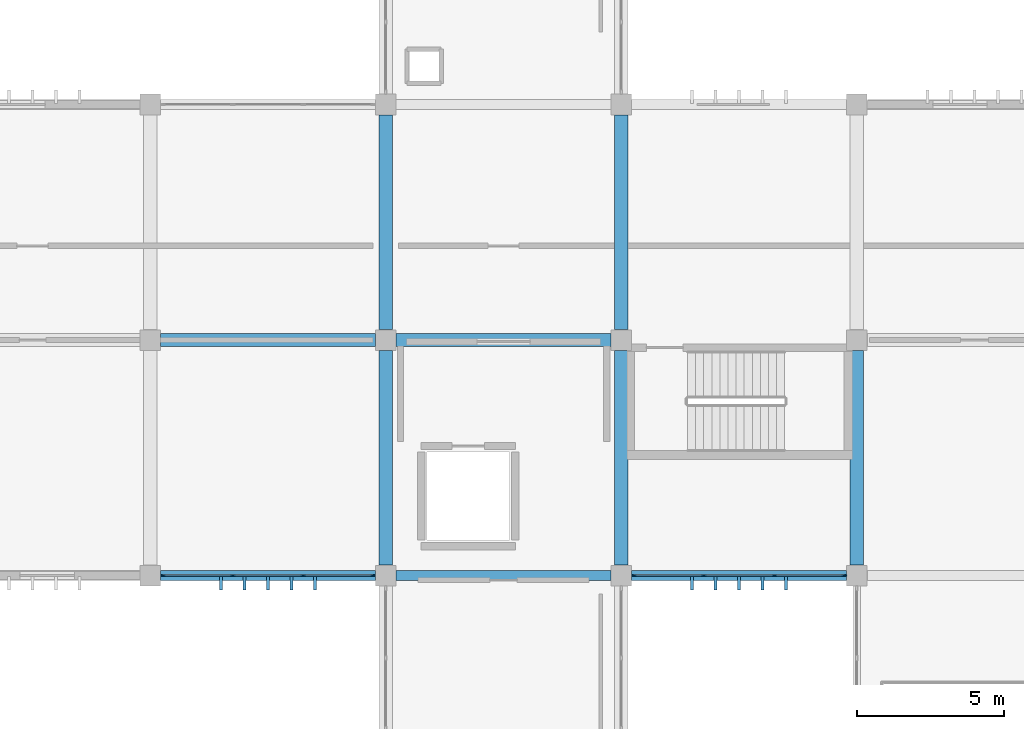
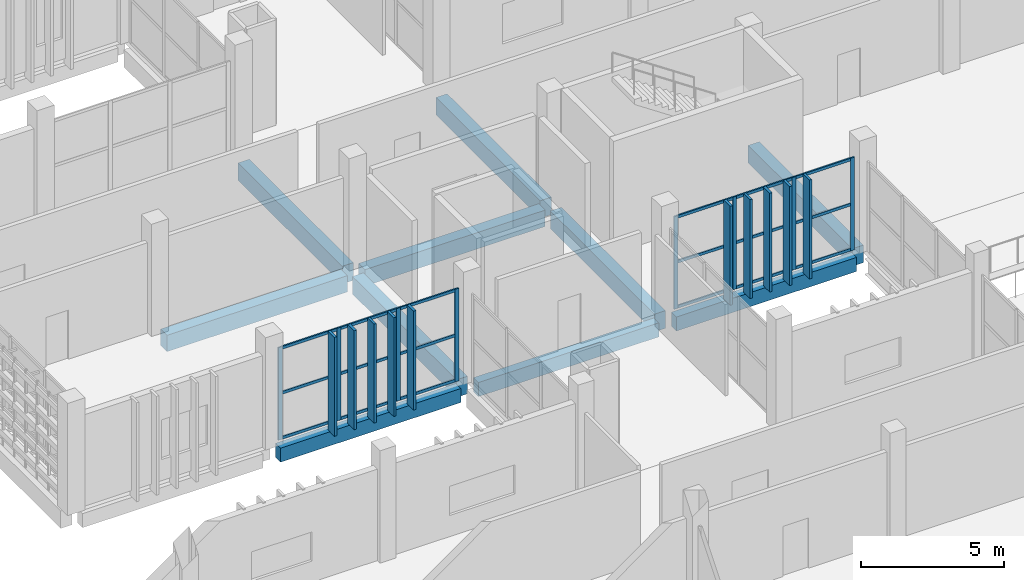
# One storey, part 53 of 106: 36 members, 10 beams, 2 elements without a shape of their own.
"""IFC4 building model written with IfcOpenShell, lengths in metres."""

from ifc_helpers import new_model, si_unit, direction, frame, origin, origin_2d, place, context, subcontext, project, spatial, rectangle, extrude, material, layer, layer_set, material_profile, profile_set, type_object, element, aggregate, save


model = new_model("IFC4")

# Units and contexts
model_context = context("Model", 3, precision=1e-05, world=origin(), true_north=direction((0.0, 1.0)))
body_context = subcontext(model_context, "Body", "Model", "MODEL_VIEW")
ifc_project = project(units=[si_unit("LENGTHUNIT", "METRE"), si_unit("AREAUNIT", "SQUARE_METRE"), si_unit("VOLUMEUNIT", "CUBIC_METRE"), si_unit("PLANEANGLEUNIT", "RADIAN"), si_unit("MASSUNIT", "GRAM", prefix="KILO")], contexts=[model_context])

# Site, building, storey
site_placement = place(None, origin())
site = spatial("IfcSite", under=ifc_project, at=site_placement, CompositionType="ELEMENT")
building_placement = place(site_placement, origin())
building = spatial("IfcBuilding", under=site, at=building_placement, Name="Jelvoka-Kovrelna Polytechnic", CompositionType="ELEMENT")
storey_placement = place(building_placement, frame((0.0, 0.0, 4.800048828125)))
storey = spatial("IfcBuildingStorey", under=building, at=storey_placement, Name="L02", CompositionType="ELEMENT", Elevation=4.800048828125)

# Beams
ifc_material_1 = material(Name="Concrete C40/50", Category="concrete")
ifc_material_profile_1 = material_profile(ifc_material_1, rectangle(XDim=0.449951171875, YDim=0.699951171875, at=origin_2d()), Name="RC 450x700")
ifc_profile_set_1 = profile_set([ifc_material_profile_1], Name="Concrete C40/50")
beam_type_1 = type_object("IfcBeamType", Name="Beam_RC_450x700", PredefinedType="BEAM", material=ifc_profile_set_1)
for number, where, z_axis, x_axis, name in (
    (1, (136.35498046875, 40.0, -0.614990234375), (1.0, 0.0, 0.0), (0.0, 1.0, 0.0), "L02 beam 0719"),
    (2, (144.35498046875, 40.0, -0.614990234375), (1.0, 0.0, 0.0), (0.0, 1.0, 0.0), "L02 beam 0720"),
):
    element("IfcBeam", number, at=place(storey_placement, frame(where, z_axis=z_axis, x_axis=x_axis)), inside=storey, type_object=beam_type_1, Name=name, PredefinedType="BEAM", context=body_context, shape_type="SweptSolid", body=[
        extrude(rectangle(XDim=0.449951171875, YDim=0.699951171875, at=origin_2d()), origin(), (0.0, 0.0, 1.0), 7.2900390625),
    ])
ifc_material_2 = material(Name="Concrete C40/50", Category="concrete")
ifc_material_profile_2 = material_profile(ifc_material_2, rectangle(XDim=0.449951171875, YDim=0.75, at=origin_2d()), Name="RC 450x750")
ifc_profile_set_2 = profile_set([ifc_material_profile_2], Name="Concrete C40/50")
beam_type_2 = type_object("IfcBeamType", Name="Beam_RC_450x750", PredefinedType="BEAM", material=ifc_profile_set_2)
for number, where, z_axis, x_axis, name in (
    (3, (144.0, 32.35498046875, -0.64013671875), (0.0, 1.0, 0.0), (-1.0, 0.0, 0.0), "L02 beam 0739"),
    (4, (144.0, 40.35498046875, -0.64013671875), (0.0, 1.0, 0.0), (-1.0, 0.0, 0.0), "L02 beam 0740"),
    (5, (152.0, 32.35498046875, -0.64013671875), (0.0, 1.0, 0.0), (-1.0, 0.0, 0.0), "L02 beam 0741"),
    (6, (152.0, 40.35498046875, -0.64013671875), (0.0, 1.0, 0.0), (-1.0, 0.0, 0.0), "L02 beam 0742"),
    (7, (160.0, 32.35498046875, -0.64013671875), (0.0, 1.0, 0.0), (-1.0, 0.0, 0.0), "L02 beam 0743"),
):
    element("IfcBeam", number, at=place(storey_placement, frame(where, z_axis=z_axis, x_axis=x_axis)), inside=storey, type_object=beam_type_2, Name=name, PredefinedType="BEAM", context=body_context, shape_type="SweptSolid", body=[
        extrude(rectangle(XDim=0.449951171875, YDim=0.75, at=origin_2d()), origin(), (0.0, 0.0, 1.0), 7.2900390625),
    ])

# Members
ifc_material_3 = material(Name="Precast concrete C40/50", Category="concrete")
ifc_material_profile_3 = material_profile(ifc_material_3, rectangle(XDim=0.10009765625, YDim=0.449951171875, at=origin_2d()), Name="PC 100x450")
ifc_profile_set_3 = profile_set([ifc_material_profile_3], Name="Precast concrete C40/50")
member_type_1 = type_object("IfcMemberType", Name="Louvre_Fin_100x450", PredefinedType="USERDEFINED", material=ifc_profile_set_3)
for number, where, z_axis, x_axis, name in (
    (8, (138.39990234375, 31.735107421875, -0.27001953125), (0.0, 0.0, 1.0), (1.0, 0.0, 0.0), "L02 B2E south vertical solar louvre fin 0911"),
    (9, (139.199951171875, 31.735107421875, -0.27001953125), (0.0, 0.0, 1.0), (1.0, 0.0, 0.0), "L02 B2E south vertical solar louvre fin 0912"),
    (10, (140.0, 31.735107421875, -0.27001953125), (0.0, 0.0, 1.0), (1.0, 0.0, 0.0), "L02 B2E south vertical solar louvre fin 0913"),
    (11, (140.800048828125, 31.735107421875, -0.27001953125), (0.0, 0.0, 1.0), (1.0, 0.0, 0.0), "L02 B2E south vertical solar louvre fin 0914"),
    (12, (141.60009765625, 31.735107421875, -0.27001953125), (0.0, 0.0, 1.0), (1.0, 0.0, 0.0), "L02 B2E south vertical solar louvre fin 0915"),
    (13, (154.39990234375, 31.735107421875, -0.27001953125), (0.0, 0.0, 1.0), (1.0, 0.0, 0.0), "L02 B2E south vertical solar louvre fin 0916"),
    (14, (155.199951171875, 31.735107421875, -0.27001953125), (0.0, 0.0, 1.0), (1.0, 0.0, 0.0), "L02 B2E south vertical solar louvre fin 0917"),
    (15, (156.0, 31.735107421875, -0.27001953125), (0.0, 0.0, 1.0), (1.0, 0.0, 0.0), "L02 B2E south vertical solar louvre fin 0918"),
    (16, (156.800048828125, 31.735107421875, -0.27001953125), (0.0, 0.0, 1.0), (1.0, 0.0, 0.0), "L02 B2E south vertical solar louvre fin 0919"),
    (17, (157.60009765625, 31.735107421875, -0.27001953125), (0.0, 0.0, 1.0), (1.0, 0.0, 0.0), "L02 B2E south vertical solar louvre fin 0920"),
):
    element("IfcMember", number, at=place(storey_placement, frame(where, z_axis=z_axis, x_axis=x_axis)), inside=storey, type_object=member_type_1, Name=name, ObjectType="SUNSHADE", PredefinedType="USERDEFINED", context=body_context, shape_type="SweptSolid", body=[
        extrude(rectangle(XDim=0.10009765625, YDim=0.449951171875, at=origin_2d()), origin(), (0.0, 0.0, 1.0), 4.22998046875),
    ])

# Curtain wall, members
ifc_material_4 = material(Name="Anodised aluminium 6063-T6", Category="aluminium")
ifc_layer = layer(ifc_material_4, 0.159912109375)
ifc_layer_set = layer_set([ifc_layer], Name="Anodised aluminium 6063-T6")
curtain_wall_type = type_object("IfcCurtainWallType", Name="CW_Recessed_A", PredefinedType="NOTDEFINED", material=ifc_layer_set)
curtain_wall_1_placement = place(storey_placement, origin())
curtain_wall_1 = element("IfcCurtainWall", 18, at=curtain_wall_1_placement, inside=storey, type_object=curtain_wall_type, Name="L02 glazed curtain wall 046", PredefinedType="NOTDEFINED")
ifc_material_5 = material(Name="Anodised aluminium 6063-T6", Category="aluminium")
ifc_material_profile_4 = material_profile(ifc_material_5, rectangle(XDim=0.06005859375, YDim=0.159912109375, at=origin_2d()), Name="ALU 60x160")
ifc_profile_set_4 = profile_set([ifc_material_profile_4], Name="Anodised aluminium 6063-T6")
member_type_2 = type_object("IfcMemberType", Name="Mullion_M-01", PredefinedType="MULLION", material=ifc_profile_set_4)
member_1_placement = place(storey_placement, frame((143.570068359375, 32.0, -0.02490234375), z_axis=(0.0, 0.0, 1.0), x_axis=(0.0, -1.0, 0.0)))
member_1 = element("IfcMember", 19, at=member_1_placement, type_object=member_type_2, Name="CW-01 mullion 1", PredefinedType="MULLION", context=body_context, shape_type="SweptSolid", body=[
    extrude(rectangle(XDim=0.06005859375, YDim=0.159912109375, at=origin_2d()), origin(), (0.0, 0.0, 1.0), 3.9599609375),
])
member_2_placement = place(storey_placement, frame((141.199951171875, 32.0, -0.02490234375), z_axis=(0.0, 0.0, 1.0), x_axis=(0.0, -1.0, 0.0)))
member_2 = element("IfcMember", 20, at=member_2_placement, type_object=member_type_2, Name="CW-01 mullion 2", PredefinedType="MULLION", context=body_context, shape_type="SweptSolid", body=[
    extrude(rectangle(XDim=0.06005859375, YDim=0.159912109375, at=origin_2d()), origin(), (0.0, 0.0, 1.0), 3.9599609375),
])
member_3_placement = place(storey_placement, frame((138.800048828125, 32.0, -0.02490234375), z_axis=(0.0, 0.0, 1.0), x_axis=(0.0, -1.0, 0.0)))
member_3 = element("IfcMember", 21, at=member_3_placement, type_object=member_type_2, Name="CW-01 mullion 3", PredefinedType="MULLION", context=body_context, shape_type="SweptSolid", body=[
    extrude(rectangle(XDim=0.06005859375, YDim=0.159912109375, at=origin_2d()), origin(), (0.0, 0.0, 1.0), 3.9599609375),
])
member_4_placement = place(storey_placement, frame((136.429931640625, 32.0, -0.02490234375), z_axis=(0.0, 0.0, 1.0), x_axis=(0.0, -1.0, 0.0)))
member_4 = element("IfcMember", 22, at=member_4_placement, type_object=member_type_2, Name="CW-01 mullion 4", PredefinedType="MULLION", context=body_context, shape_type="SweptSolid", body=[
    extrude(rectangle(XDim=0.06005859375, YDim=0.159912109375, at=origin_2d()), origin(), (0.0, 0.0, 1.0), 3.9599609375),
])

curtain_wall_2_placement = place(storey_placement, origin())
curtain_wall_2 = element("IfcCurtainWall", 23, at=curtain_wall_2_placement, inside=storey, type_object=curtain_wall_type, Name="L02 glazed curtain wall 048", PredefinedType="NOTDEFINED")
member_5_placement = place(storey_placement, frame((159.570068359375, 32.0, -0.02490234375), z_axis=(0.0, 0.0, 1.0), x_axis=(0.0, -1.0, 0.0)))
member_5 = element("IfcMember", 24, at=member_5_placement, type_object=member_type_2, Name="CW-01 mullion 1", PredefinedType="MULLION", context=body_context, shape_type="SweptSolid", body=[
    extrude(rectangle(XDim=0.06005859375, YDim=0.159912109375, at=origin_2d()), origin(), (0.0, 0.0, 1.0), 3.9599609375),
])
member_6_placement = place(storey_placement, frame((157.199951171875, 32.0, -0.02490234375), z_axis=(0.0, 0.0, 1.0), x_axis=(0.0, -1.0, 0.0)))
member_6 = element("IfcMember", 25, at=member_6_placement, type_object=member_type_2, Name="CW-01 mullion 2", PredefinedType="MULLION", context=body_context, shape_type="SweptSolid", body=[
    extrude(rectangle(XDim=0.06005859375, YDim=0.159912109375, at=origin_2d()), origin(), (0.0, 0.0, 1.0), 3.9599609375),
])
member_7_placement = place(storey_placement, frame((154.800048828125, 32.0, -0.02490234375), z_axis=(0.0, 0.0, 1.0), x_axis=(0.0, -1.0, 0.0)))
member_7 = element("IfcMember", 26, at=member_7_placement, type_object=member_type_2, Name="CW-01 mullion 3", PredefinedType="MULLION", context=body_context, shape_type="SweptSolid", body=[
    extrude(rectangle(XDim=0.06005859375, YDim=0.159912109375, at=origin_2d()), origin(), (0.0, 0.0, 1.0), 3.9599609375),
])
member_8_placement = place(storey_placement, frame((152.429931640625, 32.0, -0.02490234375), z_axis=(0.0, 0.0, 1.0), x_axis=(0.0, -1.0, 0.0)))
member_8 = element("IfcMember", 27, at=member_8_placement, type_object=member_type_2, Name="CW-01 mullion 4", PredefinedType="MULLION", context=body_context, shape_type="SweptSolid", body=[
    extrude(rectangle(XDim=0.06005859375, YDim=0.159912109375, at=origin_2d()), origin(), (0.0, 0.0, 1.0), 3.9599609375),
])

# Beams
ifc_material_6 = material(Name="Concrete C40/50", Category="concrete")
ifc_material_profile_5 = material_profile(ifc_material_6, rectangle(XDim=0.35009765625, YDim=0.60009765625, at=origin_2d()), Name="RC 350x600")
ifc_profile_set_5 = profile_set([ifc_material_profile_5], Name="Concrete C40/50")
beam_type_3 = type_object("IfcBeamType", Name="Spandrel_RC_350x600", PredefinedType="SPANDREL", material=ifc_profile_set_5)
for number, where, z_axis, x_axis, name in (
    (28, (136.35498046875, 32.0, -0.56494140625), (1.0, 0.0, 0.0), (0.0, 1.0, 0.0), "L02 beam 0715"),
    (29, (144.35498046875, 32.0, -0.56494140625), (1.0, 0.0, 0.0), (0.0, 1.0, 0.0), "L02 beam 0716"),
    (30, (152.35498046875, 32.0, -0.56494140625), (1.0, 0.0, 0.0), (0.0, 1.0, 0.0), "L02 beam 0717"),
):
    element("IfcBeam", number, at=place(storey_placement, frame(where, z_axis=z_axis, x_axis=x_axis)), inside=storey, type_object=beam_type_3, Name=name, PredefinedType="SPANDREL", context=body_context, shape_type="SweptSolid", body=[
        extrude(rectangle(XDim=0.35009765625, YDim=0.60009765625, at=origin_2d()), origin(), (0.0, 0.0, 1.0), 7.2900390625),
    ])

# Member
ifc_material_7 = material(Name="Anodised aluminium 6063-T6", Category="aluminium")
ifc_material_profile_6 = material_profile(ifc_material_7, rectangle(XDim=0.06005859375, YDim=0.1201171875, at=origin_2d()), Name="ALU 60x120")
ifc_profile_set_6 = profile_set([ifc_material_profile_6], Name="Anodised aluminium 6063-T6")
member_type_3 = type_object("IfcMemberType", Name="Transom_T-01", PredefinedType="USERDEFINED", material=ifc_profile_set_6)
member_9_placement = place(storey_placement, frame((143.5400390625, 32.0, 0.030029296875), z_axis=(-1.0, 0.0, 0.0), x_axis=(0.0, -1.0, 0.0)))
member_9 = element("IfcMember", 31, at=member_9_placement, type_object=member_type_3, Name="CW-01 transom 1.1", ObjectType="TRANSOM", PredefinedType="USERDEFINED", context=body_context, shape_type="SweptSolid", body=[
    extrude(rectangle(XDim=0.06005859375, YDim=0.1201171875, at=origin_2d()), origin(), (0.0, 0.0, 1.0), 2.31005859375),
])

member_10_placement = place(storey_placement, frame((143.5400390625, 32.0, 1.954833984375), z_axis=(-1.0, 0.0, 0.0), x_axis=(0.0, -1.0, 0.0)))
member_10 = element("IfcMember", 32, at=member_10_placement, type_object=member_type_3, Name="CW-01 transom 1.2", ObjectType="TRANSOM", PredefinedType="USERDEFINED", context=body_context, shape_type="SweptSolid", body=[
    extrude(rectangle(XDim=0.06005859375, YDim=0.1201171875, at=origin_2d()), origin(), (0.0, 0.0, 1.0), 2.31005859375),
])

member_11_placement = place(storey_placement, frame((143.5400390625, 32.0, 3.8798828125), z_axis=(-1.0, 0.0, 0.0), x_axis=(0.0, -1.0, 0.0)))
member_11 = element("IfcMember", 33, at=member_11_placement, type_object=member_type_3, Name="CW-01 transom 1.3", ObjectType="TRANSOM", PredefinedType="USERDEFINED", context=body_context, shape_type="SweptSolid", body=[
    extrude(rectangle(XDim=0.06005859375, YDim=0.1201171875, at=origin_2d()), origin(), (0.0, 0.0, 1.0), 2.31005859375),
])

member_12_placement = place(storey_placement, frame((141.169921875, 32.0, 0.030029296875), z_axis=(-1.0, 0.0, 0.0), x_axis=(0.0, -1.0, 0.0)))
member_12 = element("IfcMember", 34, at=member_12_placement, type_object=member_type_3, Name="CW-01 transom 2.1", ObjectType="TRANSOM", PredefinedType="USERDEFINED", context=body_context, shape_type="SweptSolid", body=[
    extrude(rectangle(XDim=0.06005859375, YDim=0.1201171875, at=origin_2d()), origin(), (0.0, 0.0, 1.0), 2.33984375),
])

member_13_placement = place(storey_placement, frame((141.169921875, 32.0, 1.954833984375), z_axis=(-1.0, 0.0, 0.0), x_axis=(0.0, -1.0, 0.0)))
member_13 = element("IfcMember", 35, at=member_13_placement, type_object=member_type_3, Name="CW-01 transom 2.2", ObjectType="TRANSOM", PredefinedType="USERDEFINED", context=body_context, shape_type="SweptSolid", body=[
    extrude(rectangle(XDim=0.06005859375, YDim=0.1201171875, at=origin_2d()), origin(), (0.0, 0.0, 1.0), 2.33984375),
])

member_14_placement = place(storey_placement, frame((141.169921875, 32.0, 3.8798828125), z_axis=(-1.0, 0.0, 0.0), x_axis=(0.0, -1.0, 0.0)))
member_14 = element("IfcMember", 36, at=member_14_placement, type_object=member_type_3, Name="CW-01 transom 2.3", ObjectType="TRANSOM", PredefinedType="USERDEFINED", context=body_context, shape_type="SweptSolid", body=[
    extrude(rectangle(XDim=0.06005859375, YDim=0.1201171875, at=origin_2d()), origin(), (0.0, 0.0, 1.0), 2.33984375),
])

member_15_placement = place(storey_placement, frame((138.77001953125, 32.0, 0.030029296875), z_axis=(-1.0, 0.0, 0.0), x_axis=(0.0, -1.0, 0.0)))
member_15 = element("IfcMember", 37, at=member_15_placement, type_object=member_type_3, Name="CW-01 transom 3.1", ObjectType="TRANSOM", PredefinedType="USERDEFINED", context=body_context, shape_type="SweptSolid", body=[
    extrude(rectangle(XDim=0.06005859375, YDim=0.1201171875, at=origin_2d()), origin(), (0.0, 0.0, 1.0), 2.31005859375),
])

member_16_placement = place(storey_placement, frame((138.77001953125, 32.0, 1.954833984375), z_axis=(-1.0, 0.0, 0.0), x_axis=(0.0, -1.0, 0.0)))
member_16 = element("IfcMember", 38, at=member_16_placement, type_object=member_type_3, Name="CW-01 transom 3.2", ObjectType="TRANSOM", PredefinedType="USERDEFINED", context=body_context, shape_type="SweptSolid", body=[
    extrude(rectangle(XDim=0.06005859375, YDim=0.1201171875, at=origin_2d()), origin(), (0.0, 0.0, 1.0), 2.31005859375),
])

member_17_placement = place(storey_placement, frame((138.77001953125, 32.0, 3.8798828125), z_axis=(-1.0, 0.0, 0.0), x_axis=(0.0, -1.0, 0.0)))
member_17 = element("IfcMember", 39, at=member_17_placement, type_object=member_type_3, Name="CW-01 transom 3.3", ObjectType="TRANSOM", PredefinedType="USERDEFINED", context=body_context, shape_type="SweptSolid", body=[
    extrude(rectangle(XDim=0.06005859375, YDim=0.1201171875, at=origin_2d()), origin(), (0.0, 0.0, 1.0), 2.31005859375),
])

aggregate(curtain_wall_1, [member_1, member_2, member_3, member_4, member_9, member_10, member_11, member_12, member_13, member_14, member_15, member_16, member_17])

member_18_placement = place(storey_placement, frame((159.5400390625, 32.0, 0.030029296875), z_axis=(-1.0, 0.0, 0.0), x_axis=(0.0, -1.0, 0.0)))
member_18 = element("IfcMember", 40, at=member_18_placement, type_object=member_type_3, Name="CW-01 transom 1.1", ObjectType="TRANSOM", PredefinedType="USERDEFINED", context=body_context, shape_type="SweptSolid", body=[
    extrude(rectangle(XDim=0.06005859375, YDim=0.1201171875, at=origin_2d()), origin(), (0.0, 0.0, 1.0), 2.31005859375),
])

member_19_placement = place(storey_placement, frame((159.5400390625, 32.0, 1.954833984375), z_axis=(-1.0, 0.0, 0.0), x_axis=(0.0, -1.0, 0.0)))
member_19 = element("IfcMember", 41, at=member_19_placement, type_object=member_type_3, Name="CW-01 transom 1.2", ObjectType="TRANSOM", PredefinedType="USERDEFINED", context=body_context, shape_type="SweptSolid", body=[
    extrude(rectangle(XDim=0.06005859375, YDim=0.1201171875, at=origin_2d()), origin(), (0.0, 0.0, 1.0), 2.31005859375),
])

member_20_placement = place(storey_placement, frame((159.5400390625, 32.0, 3.8798828125), z_axis=(-1.0, 0.0, 0.0), x_axis=(0.0, -1.0, 0.0)))
member_20 = element("IfcMember", 42, at=member_20_placement, type_object=member_type_3, Name="CW-01 transom 1.3", ObjectType="TRANSOM", PredefinedType="USERDEFINED", context=body_context, shape_type="SweptSolid", body=[
    extrude(rectangle(XDim=0.06005859375, YDim=0.1201171875, at=origin_2d()), origin(), (0.0, 0.0, 1.0), 2.31005859375),
])

member_21_placement = place(storey_placement, frame((157.169921875, 32.0, 0.030029296875), z_axis=(-1.0, 0.0, 0.0), x_axis=(0.0, -1.0, 0.0)))
member_21 = element("IfcMember", 43, at=member_21_placement, type_object=member_type_3, Name="CW-01 transom 2.1", ObjectType="TRANSOM", PredefinedType="USERDEFINED", context=body_context, shape_type="SweptSolid", body=[
    extrude(rectangle(XDim=0.06005859375, YDim=0.1201171875, at=origin_2d()), origin(), (0.0, 0.0, 1.0), 2.33984375),
])

member_22_placement = place(storey_placement, frame((157.169921875, 32.0, 1.954833984375), z_axis=(-1.0, 0.0, 0.0), x_axis=(0.0, -1.0, 0.0)))
member_22 = element("IfcMember", 44, at=member_22_placement, type_object=member_type_3, Name="CW-01 transom 2.2", ObjectType="TRANSOM", PredefinedType="USERDEFINED", context=body_context, shape_type="SweptSolid", body=[
    extrude(rectangle(XDim=0.06005859375, YDim=0.1201171875, at=origin_2d()), origin(), (0.0, 0.0, 1.0), 2.33984375),
])

member_23_placement = place(storey_placement, frame((157.169921875, 32.0, 3.8798828125), z_axis=(-1.0, 0.0, 0.0), x_axis=(0.0, -1.0, 0.0)))
member_23 = element("IfcMember", 45, at=member_23_placement, type_object=member_type_3, Name="CW-01 transom 2.3", ObjectType="TRANSOM", PredefinedType="USERDEFINED", context=body_context, shape_type="SweptSolid", body=[
    extrude(rectangle(XDim=0.06005859375, YDim=0.1201171875, at=origin_2d()), origin(), (0.0, 0.0, 1.0), 2.33984375),
])

member_24_placement = place(storey_placement, frame((154.77001953125, 32.0, 0.030029296875), z_axis=(-1.0, 0.0, 0.0), x_axis=(0.0, -1.0, 0.0)))
member_24 = element("IfcMember", 46, at=member_24_placement, type_object=member_type_3, Name="CW-01 transom 3.1", ObjectType="TRANSOM", PredefinedType="USERDEFINED", context=body_context, shape_type="SweptSolid", body=[
    extrude(rectangle(XDim=0.06005859375, YDim=0.1201171875, at=origin_2d()), origin(), (0.0, 0.0, 1.0), 2.31005859375),
])

member_25_placement = place(storey_placement, frame((154.77001953125, 32.0, 1.954833984375), z_axis=(-1.0, 0.0, 0.0), x_axis=(0.0, -1.0, 0.0)))
member_25 = element("IfcMember", 47, at=member_25_placement, type_object=member_type_3, Name="CW-01 transom 3.2", ObjectType="TRANSOM", PredefinedType="USERDEFINED", context=body_context, shape_type="SweptSolid", body=[
    extrude(rectangle(XDim=0.06005859375, YDim=0.1201171875, at=origin_2d()), origin(), (0.0, 0.0, 1.0), 2.31005859375),
])

member_26_placement = place(storey_placement, frame((154.77001953125, 32.0, 3.8798828125), z_axis=(-1.0, 0.0, 0.0), x_axis=(0.0, -1.0, 0.0)))
member_26 = element("IfcMember", 48, at=member_26_placement, type_object=member_type_3, Name="CW-01 transom 3.3", ObjectType="TRANSOM", PredefinedType="USERDEFINED", context=body_context, shape_type="SweptSolid", body=[
    extrude(rectangle(XDim=0.06005859375, YDim=0.1201171875, at=origin_2d()), origin(), (0.0, 0.0, 1.0), 2.31005859375),
])

aggregate(curtain_wall_2, [member_5, member_6, member_7, member_8, member_18, member_19, member_20, member_21, member_22, member_23, member_24, member_25, member_26])

save(model, "model.ifc")
